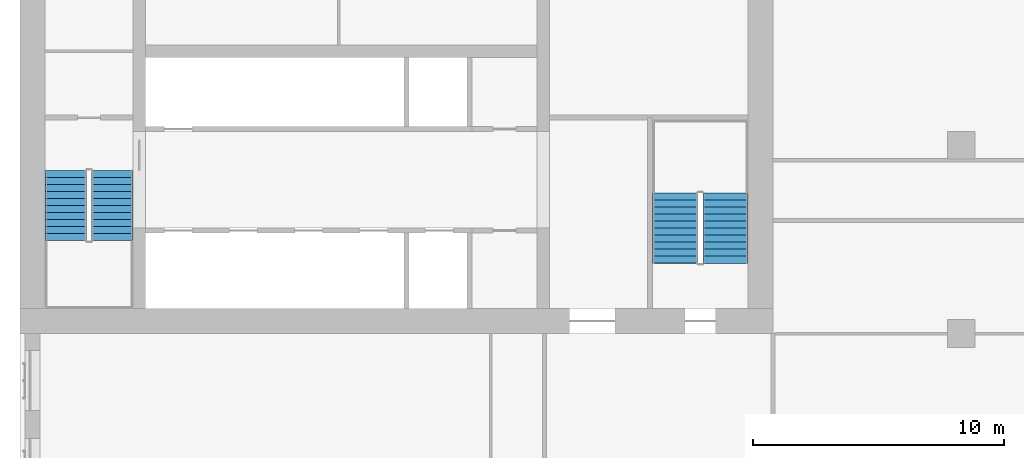
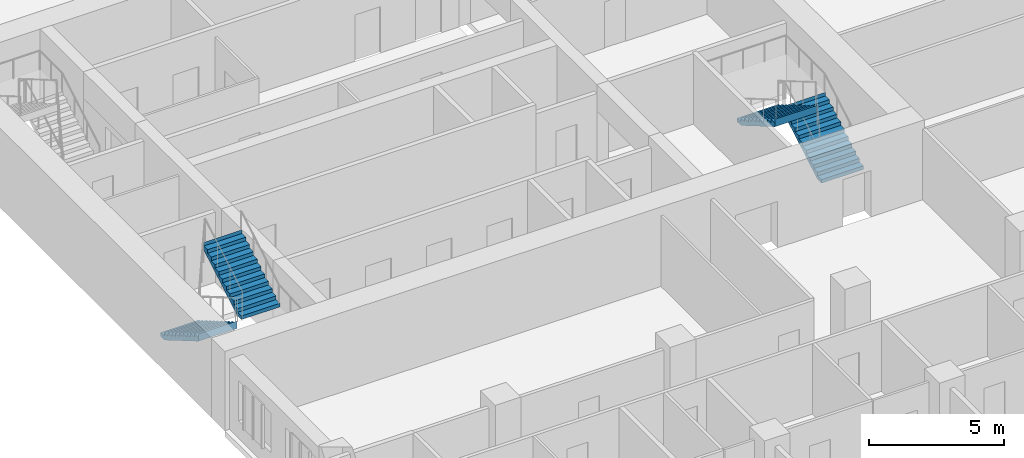
# One storey, part 12 of 14: 4 stair flights, 2 elements without a shape of their own.
"""IFC4 building model written with IfcOpenShell, lengths in metres."""

from ifc_helpers import new_model, si_unit, direction, frame, origin, place, context, subcontext, project, spatial, polyline, outline, extrude, material, type_object, element, aggregate, save


model = new_model("IFC4")

# Units and contexts
model_context = context("Model", 3, precision=1e-05, world=origin(), true_north=direction((0.0, 1.0)))
body_context = subcontext(model_context, "Body", "Model", "MODEL_VIEW")
ifc_project = project(units=[si_unit("LENGTHUNIT", "METRE"), si_unit("AREAUNIT", "SQUARE_METRE"), si_unit("VOLUMEUNIT", "CUBIC_METRE"), si_unit("PLANEANGLEUNIT", "RADIAN"), si_unit("MASSUNIT", "GRAM", prefix="KILO")], contexts=[model_context])

# Site, building, storey
site_placement = place(None, origin())
site = spatial("IfcSite", under=ifc_project, at=site_placement, CompositionType="ELEMENT")
building_placement = place(site_placement, origin())
building = spatial("IfcBuilding", under=site, at=building_placement, Name="Tamorin Gate", CompositionType="ELEMENT")
storey_placement = place(building_placement, frame((0.0, 0.0, 115.10009765625)))
storey = spatial("IfcBuildingStorey", under=building, at=storey_placement, Name="L28", CompositionType="ELEMENT", Elevation=115.10009765625)

# Stair, stair flights
ifc_material = material(Name="Concrete C40/50", Category="concrete")
stair_type = type_object("IfcStairType", Name="Exit stair", PredefinedType="HALF_TURN_STAIR", material=ifc_material)
stair_1_placement = place(storey_placement, origin())
stair_1 = element("IfcStair", 1, at=stair_1_placement, inside=storey, type_object=stair_type, Name="L28 stair ST1", PredefinedType="HALF_TURN_STAIR")
stair_flight_type = type_object("IfcStairFlightType", Name="Exit stair flight", PredefinedType="STRAIGHT", material=ifc_material)
stair_flight_1_placement = place(storey_placement, frame((31.824951171875, 66.5, 0.0), z_axis=(0.0, 0.0, 1.0), x_axis=(0.0, -1.0, 0.0)))
stair_flight_1 = element("IfcStairFlight", 2, at=stair_flight_1_placement, type_object=stair_flight_type, Name="ST1 flight 1", NumberOfRisers=11, NumberOfTreads=10, PredefinedType="STRAIGHT", RiserHeight=0.163636364, TreadLength=0.28, context=body_context, shape_type="SweptSolid", body=[
    extrude(outline(polyline([(-0.00048828125, 0.0), (-0.00048828125, 0.001708984375), (-0.00048828125, 0.003173828125), (-0.00048828125, 0.0048828125), (-0.00048828125, 0.006591796875), (-0.00048828125, 0.008056640625), (-0.00048828125, 0.009765625), (-0.00048828125, 0.01123046875), (-0.00048828125, 0.012939453125), (-0.00048828125, 0.0146484375), (-0.00048828125, 0.01611328125), (-0.00048828125, 0.017822265625), (-0.00048828125, 0.01953125), (-0.00048828125, 0.02099609375), (-0.00048828125, 0.022705078125), (-0.00048828125, 0.0244140625), (-0.00048828125, 0.02587890625), (-0.00048828125, 0.027587890625), (-0.00048828125, 0.029052734375), (-0.00048828125, 0.03076171875), (-0.00048828125, 0.032470703125), (-0.00048828125, 0.033935546875), (-0.00048828125, 0.03564453125), (-0.00048828125, 0.037353515625), (-0.00048828125, 0.038818359375), (-0.00048828125, 0.04052734375), (-0.00048828125, 0.042236328125), (-0.00048828125, 0.043701171875), (-0.00048828125, 0.04541015625), (-0.00048828125, 0.046875), (-0.00048828125, 0.048583984375), (-0.00048828125, 0.05029296875), (-0.00048828125, 0.0517578125), (-0.00048828125, 0.053466796875), (-0.00048828125, 0.05517578125), (-0.00048828125, 0.056640625), (-0.00048828125, 0.058349609375), (-0.00048828125, 0.06005859375), (-0.00048828125, 0.0615234375), (-0.00048828125, 0.063232421875), (-0.00048828125, 0.064697265625), (-0.00048828125, 0.06640625), (-0.00048828125, 0.068115234375), (-0.00048828125, 0.069580078125), (-0.00048828125, 0.0712890625), (-0.00048828125, 0.072998046875), (-0.00048828125, 0.074462890625), (-0.00048828125, 0.076171875), (-0.00048828125, 0.077880859375), (-0.00048828125, 0.079345703125), (-0.00048828125, 0.0810546875), (-0.00048828125, 0.08251953125), (-0.00048828125, 0.084228515625), (-0.00048828125, 0.0859375), (-0.00048828125, 0.08740234375), (-0.00048828125, 0.089111328125), (-0.00048828125, 0.0908203125), (-0.00048828125, 0.09228515625), (-0.00048828125, 0.093994140625), (-0.00048828125, 0.095703125), (-0.00048828125, 0.09716796875), (-0.00048828125, 0.098876953125), (-0.00048828125, 0.100341796875), (-0.00048828125, 0.10205078125), (-0.00048828125, 0.103759765625), (-0.00048828125, 0.105224609375), (-0.00048828125, 0.10693359375), (-0.00048828125, 0.108642578125), (-0.00048828125, 0.110107421875), (-0.00048828125, 0.11181640625), (-0.00048828125, 0.113525390625), (-0.00048828125, 0.114990234375), (-0.00048828125, 0.11669921875), (-0.00048828125, 0.1181640625), (-0.00048828125, 0.119873046875), (-0.00048828125, 0.12158203125), (-0.00048828125, 0.123046875), (-0.00048828125, 0.124755859375), (-0.00048828125, 0.12646484375), (-0.00048828125, 0.1279296875), (-0.00048828125, 0.129638671875), (-0.00048828125, 0.13134765625), (-0.00048828125, 0.1328125), (-0.00048828125, 0.134521484375), (-0.00048828125, 0.135986328125), (-0.00048828125, 0.1376953125), (-0.00048828125, 0.139404296875), (-0.00048828125, 0.140869140625), (-0.00048828125, 0.142578125), (-0.00048828125, 0.144287109375), (-0.00048828125, 0.145751953125), (-0.00048828125, 0.1474609375), (-0.00048828125, 0.149169921875), (-0.00048828125, 0.150634765625), (-0.00048828125, 0.15234375), (-0.00048828125, 0.15380859375), (-0.00048828125, 0.155517578125), (-0.00048828125, 0.1572265625), (-0.00048828125, 0.15869140625), (-0.00048828125, 0.160400390625), (-0.00048828125, 0.162109375), (-0.00048828125, 0.16357421875), (0.280029296875, 0.16357421875), (0.280029296875, 0.327392578125), (0.56005859375, 0.327392578125), (0.56005859375, 0.490966796875), (0.840087890625, 0.490966796875), (0.840087890625, 0.654541015625), (1.1201171875, 0.654541015625), (1.1201171875, 0.818115234375), (1.39990234375, 0.818115234375), (1.39990234375, 0.98193359375), (1.679931640625, 0.98193359375), (1.679931640625, 1.1455078125), (1.9599609375, 1.1455078125), (1.9599609375, 1.30908203125), (2.239990234375, 1.30908203125), (2.239990234375, 1.47265625), (2.52001953125, 1.47265625), (2.52001953125, 1.636474609375), (2.800048828125, 1.636474609375), (2.800048828125, 1.800048828125), (2.800537109375, 1.800048828125), (2.800537109375, 1.796630859375), (2.800537109375, 1.793212890625), (2.800537109375, 1.7900390625), (2.800537109375, 1.78662109375), (2.800537109375, 1.783203125), (2.800537109375, 1.780029296875), (2.800537109375, 1.776611328125), (2.800537109375, 1.773193359375), (2.800537109375, 1.77001953125), (2.800537109375, 1.7666015625), (2.800537109375, 1.76318359375), (2.800537109375, 1.760009765625), (2.800537109375, 1.756591796875), (2.800537109375, 1.753173828125), (2.800537109375, 1.75), (2.800537109375, 1.74658203125), (2.800537109375, 1.7431640625), (2.800537109375, 1.739990234375), (2.800537109375, 1.736572265625), (2.800537109375, 1.733154296875), (2.800537109375, 1.72998046875), (2.800537109375, 1.7265625), (2.800537109375, 1.72314453125), (2.800537109375, 1.719970703125), (2.800537109375, 1.716552734375), (2.800537109375, 1.713134765625), (2.800537109375, 1.7099609375), (2.800537109375, 1.70654296875), (2.800537109375, 1.703125), (2.800537109375, 1.69970703125), (2.800537109375, 1.696533203125), (2.800537109375, 1.693115234375), (2.800537109375, 1.689697265625), (2.800537109375, 1.6865234375), (2.800537109375, 1.68310546875), (2.800537109375, 1.6796875), (2.800537109375, 1.676513671875), (2.800537109375, 1.673095703125), (2.800537109375, 1.669677734375), (2.800537109375, 1.66650390625), (2.800537109375, 1.6630859375), (2.800537109375, 1.65966796875), (2.800537109375, 1.656494140625), (2.800537109375, 1.653076171875), (2.800537109375, 1.649658203125), (2.800537109375, 1.646484375), (2.800537109375, 1.64306640625), (2.800537109375, 1.6396484375), (2.800537109375, 1.636474609375), (2.800537109375, 1.633056640625), (2.800537109375, 1.629638671875), (2.800537109375, 1.62646484375), (2.800537109375, 1.623046875), (2.800537109375, 1.61962890625), (2.800537109375, 1.616455078125), (2.800537109375, 1.613037109375), (2.800537109375, 1.609619140625), (2.800537109375, 1.6064453125), (2.800537109375, 1.60302734375), (2.800537109375, 1.599609375), (2.800537109375, 1.59619140625), (2.800537109375, 1.593017578125), (2.800537109375, 1.589599609375), (2.800537109375, 1.586181640625), (2.800537109375, 1.5830078125), (2.800537109375, 1.57958984375), (2.800537109375, 1.576171875), (2.800537109375, 1.572998046875), (2.800537109375, 1.569580078125), (2.800537109375, 1.566162109375), (2.800537109375, 1.56298828125), (2.800537109375, 1.5595703125), (2.800537109375, 1.55615234375), (2.800537109375, 1.552978515625), (2.800537109375, 1.549560546875), (2.800537109375, 1.546142578125), (2.800537109375, 1.54296875), (2.800537109375, 1.53955078125), (2.800537109375, 1.5361328125), (2.800537109375, 1.532958984375), (2.800537109375, 1.529541015625), (2.800537109375, 1.526123046875), (2.800537109375, 1.52294921875), (2.800537109375, 1.51953125), (2.800537109375, 1.51611328125), (2.800537109375, 1.512939453125), (2.800537109375, 1.509521484375), (2.800537109375, 1.506103515625), (2.800537109375, 1.5029296875), (2.800537109375, 1.49951171875), (2.800537109375, 1.49609375), (2.800537109375, 1.49267578125), (2.800537109375, 1.489501953125), (2.800537109375, 1.486083984375), (2.800537109375, 1.482666015625), (2.800537109375, 1.4794921875), (2.800537109375, 1.47607421875), (2.800537109375, 1.47265625), (2.800537109375, 1.469482421875), (2.800537109375, 1.466064453125), (2.800537109375, 1.462646484375), (2.800048828125, 1.462646484375), (0.297119140625, 0.0), (-0.00048828125, 0.0)])), frame((0.0, 0.824951171875, 0.0), z_axis=(0.0, -1.0, 0.0), x_axis=(1.0, 0.0, 0.0)), (0.0, 0.0, 1.0), 1.64990234375),
])
stair_flight_2_placement = place(storey_placement, frame((33.675048828125, 63.699951171875, 1.7998046875), z_axis=(0.0, 0.0, 1.0), x_axis=(0.0, 1.0, 0.0)))
stair_flight_2 = element("IfcStairFlight", 3, at=stair_flight_2_placement, type_object=stair_flight_type, Name="ST1 flight 2", NumberOfRisers=11, NumberOfTreads=10, PredefinedType="STRAIGHT", RiserHeight=0.163636364, TreadLength=0.28, context=body_context, shape_type="SweptSolid", body=[
    extrude(outline(polyline([(-0.00048828125, 0.0), (-0.00048828125, 0.001708984375), (-0.00048828125, 0.003173828125), (-0.00048828125, 0.0048828125), (-0.00048828125, 0.006591796875), (-0.00048828125, 0.008056640625), (-0.00048828125, 0.009765625), (-0.00048828125, 0.01123046875), (-0.00048828125, 0.012939453125), (-0.00048828125, 0.0146484375), (-0.00048828125, 0.01611328125), (-0.00048828125, 0.017822265625), (-0.00048828125, 0.01953125), (-0.00048828125, 0.02099609375), (-0.00048828125, 0.022705078125), (-0.00048828125, 0.0244140625), (-0.00048828125, 0.02587890625), (-0.00048828125, 0.027587890625), (-0.00048828125, 0.029052734375), (-0.00048828125, 0.03076171875), (-0.00048828125, 0.032470703125), (-0.00048828125, 0.033935546875), (-0.00048828125, 0.03564453125), (-0.00048828125, 0.037353515625), (-0.00048828125, 0.038818359375), (-0.00048828125, 0.04052734375), (-0.00048828125, 0.042236328125), (-0.00048828125, 0.043701171875), (-0.00048828125, 0.04541015625), (-0.00048828125, 0.046875), (-0.00048828125, 0.048583984375), (-0.00048828125, 0.05029296875), (-0.00048828125, 0.0517578125), (-0.00048828125, 0.053466796875), (-0.00048828125, 0.05517578125), (-0.00048828125, 0.056640625), (-0.00048828125, 0.058349609375), (-0.00048828125, 0.06005859375), (-0.00048828125, 0.0615234375), (-0.00048828125, 0.063232421875), (-0.00048828125, 0.064697265625), (-0.00048828125, 0.06640625), (-0.00048828125, 0.068115234375), (-0.00048828125, 0.069580078125), (-0.00048828125, 0.0712890625), (-0.00048828125, 0.072998046875), (-0.00048828125, 0.074462890625), (-0.00048828125, 0.076171875), (-0.00048828125, 0.077880859375), (-0.00048828125, 0.079345703125), (-0.00048828125, 0.0810546875), (-0.00048828125, 0.08251953125), (-0.00048828125, 0.084228515625), (-0.00048828125, 0.0859375), (-0.00048828125, 0.08740234375), (-0.00048828125, 0.089111328125), (-0.00048828125, 0.0908203125), (-0.00048828125, 0.09228515625), (-0.00048828125, 0.093994140625), (-0.00048828125, 0.095703125), (-0.00048828125, 0.09716796875), (-0.00048828125, 0.098876953125), (-0.00048828125, 0.100341796875), (-0.00048828125, 0.10205078125), (-0.00048828125, 0.103759765625), (-0.00048828125, 0.105224609375), (-0.00048828125, 0.10693359375), (-0.00048828125, 0.108642578125), (-0.00048828125, 0.110107421875), (-0.00048828125, 0.11181640625), (-0.00048828125, 0.113525390625), (-0.00048828125, 0.114990234375), (-0.00048828125, 0.11669921875), (-0.00048828125, 0.1181640625), (-0.00048828125, 0.119873046875), (-0.00048828125, 0.12158203125), (-0.00048828125, 0.123046875), (-0.00048828125, 0.124755859375), (-0.00048828125, 0.12646484375), (-0.00048828125, 0.1279296875), (-0.00048828125, 0.129638671875), (-0.00048828125, 0.13134765625), (-0.00048828125, 0.1328125), (-0.00048828125, 0.134521484375), (-0.00048828125, 0.135986328125), (-0.00048828125, 0.1376953125), (-0.00048828125, 0.139404296875), (-0.00048828125, 0.140869140625), (-0.00048828125, 0.142578125), (-0.00048828125, 0.144287109375), (-0.00048828125, 0.145751953125), (-0.00048828125, 0.1474609375), (-0.00048828125, 0.149169921875), (-0.00048828125, 0.150634765625), (-0.00048828125, 0.15234375), (-0.00048828125, 0.15380859375), (-0.00048828125, 0.155517578125), (-0.00048828125, 0.1572265625), (-0.00048828125, 0.15869140625), (-0.00048828125, 0.160400390625), (-0.00048828125, 0.162109375), (-0.00048828125, 0.16357421875), (0.280029296875, 0.16357421875), (0.280029296875, 0.327392578125), (0.56005859375, 0.327392578125), (0.56005859375, 0.490966796875), (0.840087890625, 0.490966796875), (0.840087890625, 0.654541015625), (1.1201171875, 0.654541015625), (1.1201171875, 0.818115234375), (1.39990234375, 0.818115234375), (1.39990234375, 0.98193359375), (1.679931640625, 0.98193359375), (1.679931640625, 1.1455078125), (1.9599609375, 1.1455078125), (1.9599609375, 1.30908203125), (2.239990234375, 1.30908203125), (2.239990234375, 1.47265625), (2.52001953125, 1.47265625), (2.52001953125, 1.636474609375), (2.800048828125, 1.636474609375), (2.800048828125, 1.800048828125), (2.800537109375, 1.800048828125), (2.800537109375, 1.796630859375), (2.800537109375, 1.793212890625), (2.800537109375, 1.7900390625), (2.800537109375, 1.78662109375), (2.800537109375, 1.783203125), (2.800537109375, 1.780029296875), (2.800537109375, 1.776611328125), (2.800537109375, 1.773193359375), (2.800537109375, 1.77001953125), (2.800537109375, 1.7666015625), (2.800537109375, 1.76318359375), (2.800537109375, 1.760009765625), (2.800537109375, 1.756591796875), (2.800537109375, 1.753173828125), (2.800537109375, 1.75), (2.800537109375, 1.74658203125), (2.800537109375, 1.7431640625), (2.800537109375, 1.739990234375), (2.800537109375, 1.736572265625), (2.800537109375, 1.733154296875), (2.800537109375, 1.72998046875), (2.800537109375, 1.7265625), (2.800537109375, 1.72314453125), (2.800537109375, 1.719970703125), (2.800537109375, 1.716552734375), (2.800537109375, 1.713134765625), (2.800537109375, 1.7099609375), (2.800537109375, 1.70654296875), (2.800537109375, 1.703125), (2.800537109375, 1.69970703125), (2.800537109375, 1.696533203125), (2.800537109375, 1.693115234375), (2.800537109375, 1.689697265625), (2.800537109375, 1.6865234375), (2.800537109375, 1.68310546875), (2.800537109375, 1.6796875), (2.800537109375, 1.676513671875), (2.800537109375, 1.673095703125), (2.800537109375, 1.669677734375), (2.800537109375, 1.66650390625), (2.800537109375, 1.6630859375), (2.800537109375, 1.65966796875), (2.800537109375, 1.656494140625), (2.800537109375, 1.653076171875), (2.800537109375, 1.649658203125), (2.800537109375, 1.646484375), (2.800537109375, 1.64306640625), (2.800537109375, 1.6396484375), (2.800537109375, 1.636474609375), (2.800537109375, 1.633056640625), (2.800537109375, 1.629638671875), (2.800537109375, 1.62646484375), (2.800537109375, 1.623046875), (2.800537109375, 1.61962890625), (2.800537109375, 1.616455078125), (2.800537109375, 1.613037109375), (2.800537109375, 1.609619140625), (2.800537109375, 1.6064453125), (2.800537109375, 1.60302734375), (2.800537109375, 1.599609375), (2.800537109375, 1.59619140625), (2.800537109375, 1.593017578125), (2.800537109375, 1.589599609375), (2.800537109375, 1.586181640625), (2.800537109375, 1.5830078125), (2.800537109375, 1.57958984375), (2.800537109375, 1.576171875), (2.800537109375, 1.572998046875), (2.800537109375, 1.569580078125), (2.800537109375, 1.566162109375), (2.800537109375, 1.56298828125), (2.800537109375, 1.5595703125), (2.800537109375, 1.55615234375), (2.800537109375, 1.552978515625), (2.800537109375, 1.549560546875), (2.800537109375, 1.546142578125), (2.800537109375, 1.54296875), (2.800537109375, 1.53955078125), (2.800537109375, 1.5361328125), (2.800537109375, 1.532958984375), (2.800537109375, 1.529541015625), (2.800537109375, 1.526123046875), (2.800537109375, 1.52294921875), (2.800537109375, 1.51953125), (2.800537109375, 1.51611328125), (2.800537109375, 1.512939453125), (2.800537109375, 1.509521484375), (2.800537109375, 1.506103515625), (2.800537109375, 1.5029296875), (2.800537109375, 1.49951171875), (2.800537109375, 1.49609375), (2.800537109375, 1.49267578125), (2.800537109375, 1.489501953125), (2.800537109375, 1.486083984375), (2.800537109375, 1.482666015625), (2.800537109375, 1.4794921875), (2.800537109375, 1.47607421875), (2.800537109375, 1.47265625), (2.800537109375, 1.469482421875), (2.800537109375, 1.466064453125), (2.800537109375, 1.462646484375), (2.800048828125, 1.462646484375), (0.297119140625, 0.0), (-0.00048828125, 0.0)])), frame((0.0, 0.824951171875, 0.0), z_axis=(0.0, -1.0, 0.0), x_axis=(1.0, 0.0, 0.0)), (0.0, 0.0, 1.0), 1.64990234375),
])
aggregate(stair_1, [stair_flight_1, stair_flight_2])

stair_2_placement = place(storey_placement, origin())
stair_2 = element("IfcStair", 4, at=stair_2_placement, inside=storey, type_object=stair_type, Name="L28 stair ST3", PredefinedType="HALF_TURN_STAIR")
stair_flight_3_placement = place(storey_placement, frame((58.10009765625, 62.800048828125, 0.0), z_axis=(0.0, 0.0, 1.0), x_axis=(0.0, 1.0, 0.0)))
stair_flight_3 = element("IfcStairFlight", 5, at=stair_flight_3_placement, type_object=stair_flight_type, Name="ST3 flight 1", NumberOfRisers=11, NumberOfTreads=10, PredefinedType="STRAIGHT", RiserHeight=0.163636364, TreadLength=0.28, context=body_context, shape_type="SweptSolid", body=[
    extrude(outline(polyline([(-0.00048828125, 0.0), (-0.00048828125, 0.001708984375), (-0.00048828125, 0.003173828125), (-0.00048828125, 0.0048828125), (-0.00048828125, 0.006591796875), (-0.00048828125, 0.008056640625), (-0.00048828125, 0.009765625), (-0.00048828125, 0.01123046875), (-0.00048828125, 0.012939453125), (-0.00048828125, 0.0146484375), (-0.00048828125, 0.01611328125), (-0.00048828125, 0.017822265625), (-0.00048828125, 0.01953125), (-0.00048828125, 0.02099609375), (-0.00048828125, 0.022705078125), (-0.00048828125, 0.0244140625), (-0.00048828125, 0.02587890625), (-0.00048828125, 0.027587890625), (-0.00048828125, 0.029052734375), (-0.00048828125, 0.03076171875), (-0.00048828125, 0.032470703125), (-0.00048828125, 0.033935546875), (-0.00048828125, 0.03564453125), (-0.00048828125, 0.037353515625), (-0.00048828125, 0.038818359375), (-0.00048828125, 0.04052734375), (-0.00048828125, 0.042236328125), (-0.00048828125, 0.043701171875), (-0.00048828125, 0.04541015625), (-0.00048828125, 0.046875), (-0.00048828125, 0.048583984375), (-0.00048828125, 0.05029296875), (-0.00048828125, 0.0517578125), (-0.00048828125, 0.053466796875), (-0.00048828125, 0.05517578125), (-0.00048828125, 0.056640625), (-0.00048828125, 0.058349609375), (-0.00048828125, 0.06005859375), (-0.00048828125, 0.0615234375), (-0.00048828125, 0.063232421875), (-0.00048828125, 0.064697265625), (-0.00048828125, 0.06640625), (-0.00048828125, 0.068115234375), (-0.00048828125, 0.069580078125), (-0.00048828125, 0.0712890625), (-0.00048828125, 0.072998046875), (-0.00048828125, 0.074462890625), (-0.00048828125, 0.076171875), (-0.00048828125, 0.077880859375), (-0.00048828125, 0.079345703125), (-0.00048828125, 0.0810546875), (-0.00048828125, 0.08251953125), (-0.00048828125, 0.084228515625), (-0.00048828125, 0.0859375), (-0.00048828125, 0.08740234375), (-0.00048828125, 0.089111328125), (-0.00048828125, 0.0908203125), (-0.00048828125, 0.09228515625), (-0.00048828125, 0.093994140625), (-0.00048828125, 0.095703125), (-0.00048828125, 0.09716796875), (-0.00048828125, 0.098876953125), (-0.00048828125, 0.100341796875), (-0.00048828125, 0.10205078125), (-0.00048828125, 0.103759765625), (-0.00048828125, 0.105224609375), (-0.00048828125, 0.10693359375), (-0.00048828125, 0.108642578125), (-0.00048828125, 0.110107421875), (-0.00048828125, 0.11181640625), (-0.00048828125, 0.113525390625), (-0.00048828125, 0.114990234375), (-0.00048828125, 0.11669921875), (-0.00048828125, 0.1181640625), (-0.00048828125, 0.119873046875), (-0.00048828125, 0.12158203125), (-0.00048828125, 0.123046875), (-0.00048828125, 0.124755859375), (-0.00048828125, 0.12646484375), (-0.00048828125, 0.1279296875), (-0.00048828125, 0.129638671875), (-0.00048828125, 0.13134765625), (-0.00048828125, 0.1328125), (-0.00048828125, 0.134521484375), (-0.00048828125, 0.135986328125), (-0.00048828125, 0.1376953125), (-0.00048828125, 0.139404296875), (-0.00048828125, 0.140869140625), (-0.00048828125, 0.142578125), (-0.00048828125, 0.144287109375), (-0.00048828125, 0.145751953125), (-0.00048828125, 0.1474609375), (-0.00048828125, 0.149169921875), (-0.00048828125, 0.150634765625), (-0.00048828125, 0.15234375), (-0.00048828125, 0.15380859375), (-0.00048828125, 0.155517578125), (-0.00048828125, 0.1572265625), (-0.00048828125, 0.15869140625), (-0.00048828125, 0.160400390625), (-0.00048828125, 0.162109375), (-0.00048828125, 0.16357421875), (0.280029296875, 0.16357421875), (0.280029296875, 0.327392578125), (0.56005859375, 0.327392578125), (0.56005859375, 0.490966796875), (0.840087890625, 0.490966796875), (0.840087890625, 0.654541015625), (1.1201171875, 0.654541015625), (1.1201171875, 0.818115234375), (1.39990234375, 0.818115234375), (1.39990234375, 0.98193359375), (1.679931640625, 0.98193359375), (1.679931640625, 1.1455078125), (1.9599609375, 1.1455078125), (1.9599609375, 1.30908203125), (2.239990234375, 1.30908203125), (2.239990234375, 1.47265625), (2.52001953125, 1.47265625), (2.52001953125, 1.636474609375), (2.800048828125, 1.636474609375), (2.800048828125, 1.800048828125), (2.800537109375, 1.800048828125), (2.800537109375, 1.796630859375), (2.800537109375, 1.793212890625), (2.800537109375, 1.7900390625), (2.800537109375, 1.78662109375), (2.800537109375, 1.783203125), (2.800537109375, 1.780029296875), (2.800537109375, 1.776611328125), (2.800537109375, 1.773193359375), (2.800537109375, 1.77001953125), (2.800537109375, 1.7666015625), (2.800537109375, 1.76318359375), (2.800537109375, 1.760009765625), (2.800537109375, 1.756591796875), (2.800537109375, 1.753173828125), (2.800537109375, 1.75), (2.800537109375, 1.74658203125), (2.800537109375, 1.7431640625), (2.800537109375, 1.739990234375), (2.800537109375, 1.736572265625), (2.800537109375, 1.733154296875), (2.800537109375, 1.72998046875), (2.800537109375, 1.7265625), (2.800537109375, 1.72314453125), (2.800537109375, 1.719970703125), (2.800537109375, 1.716552734375), (2.800537109375, 1.713134765625), (2.800537109375, 1.7099609375), (2.800537109375, 1.70654296875), (2.800537109375, 1.703125), (2.800537109375, 1.69970703125), (2.800537109375, 1.696533203125), (2.800537109375, 1.693115234375), (2.800537109375, 1.689697265625), (2.800537109375, 1.6865234375), (2.800537109375, 1.68310546875), (2.800537109375, 1.6796875), (2.800537109375, 1.676513671875), (2.800537109375, 1.673095703125), (2.800537109375, 1.669677734375), (2.800537109375, 1.66650390625), (2.800537109375, 1.6630859375), (2.800537109375, 1.65966796875), (2.800537109375, 1.656494140625), (2.800537109375, 1.653076171875), (2.800537109375, 1.649658203125), (2.800537109375, 1.646484375), (2.800537109375, 1.64306640625), (2.800537109375, 1.6396484375), (2.800537109375, 1.636474609375), (2.800537109375, 1.633056640625), (2.800537109375, 1.629638671875), (2.800537109375, 1.62646484375), (2.800537109375, 1.623046875), (2.800537109375, 1.61962890625), (2.800537109375, 1.616455078125), (2.800537109375, 1.613037109375), (2.800537109375, 1.609619140625), (2.800537109375, 1.6064453125), (2.800537109375, 1.60302734375), (2.800537109375, 1.599609375), (2.800537109375, 1.59619140625), (2.800537109375, 1.593017578125), (2.800537109375, 1.589599609375), (2.800537109375, 1.586181640625), (2.800537109375, 1.5830078125), (2.800537109375, 1.57958984375), (2.800537109375, 1.576171875), (2.800537109375, 1.572998046875), (2.800537109375, 1.569580078125), (2.800537109375, 1.566162109375), (2.800537109375, 1.56298828125), (2.800537109375, 1.5595703125), (2.800537109375, 1.55615234375), (2.800537109375, 1.552978515625), (2.800537109375, 1.549560546875), (2.800537109375, 1.546142578125), (2.800537109375, 1.54296875), (2.800537109375, 1.53955078125), (2.800537109375, 1.5361328125), (2.800537109375, 1.532958984375), (2.800537109375, 1.529541015625), (2.800537109375, 1.526123046875), (2.800537109375, 1.52294921875), (2.800537109375, 1.51953125), (2.800537109375, 1.51611328125), (2.800537109375, 1.512939453125), (2.800537109375, 1.509521484375), (2.800537109375, 1.506103515625), (2.800537109375, 1.5029296875), (2.800537109375, 1.49951171875), (2.800537109375, 1.49609375), (2.800537109375, 1.49267578125), (2.800537109375, 1.489501953125), (2.800537109375, 1.486083984375), (2.800537109375, 1.482666015625), (2.800537109375, 1.4794921875), (2.800537109375, 1.47607421875), (2.800537109375, 1.47265625), (2.800537109375, 1.469482421875), (2.800537109375, 1.466064453125), (2.800537109375, 1.462646484375), (2.800048828125, 1.462646484375), (0.297119140625, 0.0), (-0.00048828125, 0.0)])), frame((0.0, 0.89990234375, 0.0), z_axis=(0.0, -1.0, 0.0), x_axis=(1.0, 0.0, 0.0)), (0.0, 0.0, 1.0), 1.800048828125),
])
stair_flight_4_placement = place(storey_placement, frame((56.10009765625, 65.60009765625, 1.7998046875), z_axis=(0.0, 0.0, 1.0), x_axis=(0.0, -1.0, 0.0)))
stair_flight_4 = element("IfcStairFlight", 6, at=stair_flight_4_placement, type_object=stair_flight_type, Name="ST3 flight 2", NumberOfRisers=11, NumberOfTreads=10, PredefinedType="STRAIGHT", RiserHeight=0.163636364, TreadLength=0.28, context=body_context, shape_type="SweptSolid", body=[
    extrude(outline(polyline([(-0.00048828125, 0.0), (-0.00048828125, 0.001708984375), (-0.00048828125, 0.003173828125), (-0.00048828125, 0.0048828125), (-0.00048828125, 0.006591796875), (-0.00048828125, 0.008056640625), (-0.00048828125, 0.009765625), (-0.00048828125, 0.01123046875), (-0.00048828125, 0.012939453125), (-0.00048828125, 0.0146484375), (-0.00048828125, 0.01611328125), (-0.00048828125, 0.017822265625), (-0.00048828125, 0.01953125), (-0.00048828125, 0.02099609375), (-0.00048828125, 0.022705078125), (-0.00048828125, 0.0244140625), (-0.00048828125, 0.02587890625), (-0.00048828125, 0.027587890625), (-0.00048828125, 0.029052734375), (-0.00048828125, 0.03076171875), (-0.00048828125, 0.032470703125), (-0.00048828125, 0.033935546875), (-0.00048828125, 0.03564453125), (-0.00048828125, 0.037353515625), (-0.00048828125, 0.038818359375), (-0.00048828125, 0.04052734375), (-0.00048828125, 0.042236328125), (-0.00048828125, 0.043701171875), (-0.00048828125, 0.04541015625), (-0.00048828125, 0.046875), (-0.00048828125, 0.048583984375), (-0.00048828125, 0.05029296875), (-0.00048828125, 0.0517578125), (-0.00048828125, 0.053466796875), (-0.00048828125, 0.05517578125), (-0.00048828125, 0.056640625), (-0.00048828125, 0.058349609375), (-0.00048828125, 0.06005859375), (-0.00048828125, 0.0615234375), (-0.00048828125, 0.063232421875), (-0.00048828125, 0.064697265625), (-0.00048828125, 0.06640625), (-0.00048828125, 0.068115234375), (-0.00048828125, 0.069580078125), (-0.00048828125, 0.0712890625), (-0.00048828125, 0.072998046875), (-0.00048828125, 0.074462890625), (-0.00048828125, 0.076171875), (-0.00048828125, 0.077880859375), (-0.00048828125, 0.079345703125), (-0.00048828125, 0.0810546875), (-0.00048828125, 0.08251953125), (-0.00048828125, 0.084228515625), (-0.00048828125, 0.0859375), (-0.00048828125, 0.08740234375), (-0.00048828125, 0.089111328125), (-0.00048828125, 0.0908203125), (-0.00048828125, 0.09228515625), (-0.00048828125, 0.093994140625), (-0.00048828125, 0.095703125), (-0.00048828125, 0.09716796875), (-0.00048828125, 0.098876953125), (-0.00048828125, 0.100341796875), (-0.00048828125, 0.10205078125), (-0.00048828125, 0.103759765625), (-0.00048828125, 0.105224609375), (-0.00048828125, 0.10693359375), (-0.00048828125, 0.108642578125), (-0.00048828125, 0.110107421875), (-0.00048828125, 0.11181640625), (-0.00048828125, 0.113525390625), (-0.00048828125, 0.114990234375), (-0.00048828125, 0.11669921875), (-0.00048828125, 0.1181640625), (-0.00048828125, 0.119873046875), (-0.00048828125, 0.12158203125), (-0.00048828125, 0.123046875), (-0.00048828125, 0.124755859375), (-0.00048828125, 0.12646484375), (-0.00048828125, 0.1279296875), (-0.00048828125, 0.129638671875), (-0.00048828125, 0.13134765625), (-0.00048828125, 0.1328125), (-0.00048828125, 0.134521484375), (-0.00048828125, 0.135986328125), (-0.00048828125, 0.1376953125), (-0.00048828125, 0.139404296875), (-0.00048828125, 0.140869140625), (-0.00048828125, 0.142578125), (-0.00048828125, 0.144287109375), (-0.00048828125, 0.145751953125), (-0.00048828125, 0.1474609375), (-0.00048828125, 0.149169921875), (-0.00048828125, 0.150634765625), (-0.00048828125, 0.15234375), (-0.00048828125, 0.15380859375), (-0.00048828125, 0.155517578125), (-0.00048828125, 0.1572265625), (-0.00048828125, 0.15869140625), (-0.00048828125, 0.160400390625), (-0.00048828125, 0.162109375), (-0.00048828125, 0.16357421875), (0.280029296875, 0.16357421875), (0.280029296875, 0.327392578125), (0.56005859375, 0.327392578125), (0.56005859375, 0.490966796875), (0.840087890625, 0.490966796875), (0.840087890625, 0.654541015625), (1.1201171875, 0.654541015625), (1.1201171875, 0.818115234375), (1.39990234375, 0.818115234375), (1.39990234375, 0.98193359375), (1.679931640625, 0.98193359375), (1.679931640625, 1.1455078125), (1.9599609375, 1.1455078125), (1.9599609375, 1.30908203125), (2.239990234375, 1.30908203125), (2.239990234375, 1.47265625), (2.52001953125, 1.47265625), (2.52001953125, 1.636474609375), (2.800048828125, 1.636474609375), (2.800048828125, 1.800048828125), (2.800537109375, 1.800048828125), (2.800537109375, 1.796630859375), (2.800537109375, 1.793212890625), (2.800537109375, 1.7900390625), (2.800537109375, 1.78662109375), (2.800537109375, 1.783203125), (2.800537109375, 1.780029296875), (2.800537109375, 1.776611328125), (2.800537109375, 1.773193359375), (2.800537109375, 1.77001953125), (2.800537109375, 1.7666015625), (2.800537109375, 1.76318359375), (2.800537109375, 1.760009765625), (2.800537109375, 1.756591796875), (2.800537109375, 1.753173828125), (2.800537109375, 1.75), (2.800537109375, 1.74658203125), (2.800537109375, 1.7431640625), (2.800537109375, 1.739990234375), (2.800537109375, 1.736572265625), (2.800537109375, 1.733154296875), (2.800537109375, 1.72998046875), (2.800537109375, 1.7265625), (2.800537109375, 1.72314453125), (2.800537109375, 1.719970703125), (2.800537109375, 1.716552734375), (2.800537109375, 1.713134765625), (2.800537109375, 1.7099609375), (2.800537109375, 1.70654296875), (2.800537109375, 1.703125), (2.800537109375, 1.69970703125), (2.800537109375, 1.696533203125), (2.800537109375, 1.693115234375), (2.800537109375, 1.689697265625), (2.800537109375, 1.6865234375), (2.800537109375, 1.68310546875), (2.800537109375, 1.6796875), (2.800537109375, 1.676513671875), (2.800537109375, 1.673095703125), (2.800537109375, 1.669677734375), (2.800537109375, 1.66650390625), (2.800537109375, 1.6630859375), (2.800537109375, 1.65966796875), (2.800537109375, 1.656494140625), (2.800537109375, 1.653076171875), (2.800537109375, 1.649658203125), (2.800537109375, 1.646484375), (2.800537109375, 1.64306640625), (2.800537109375, 1.6396484375), (2.800537109375, 1.636474609375), (2.800537109375, 1.633056640625), (2.800537109375, 1.629638671875), (2.800537109375, 1.62646484375), (2.800537109375, 1.623046875), (2.800537109375, 1.61962890625), (2.800537109375, 1.616455078125), (2.800537109375, 1.613037109375), (2.800537109375, 1.609619140625), (2.800537109375, 1.6064453125), (2.800537109375, 1.60302734375), (2.800537109375, 1.599609375), (2.800537109375, 1.59619140625), (2.800537109375, 1.593017578125), (2.800537109375, 1.589599609375), (2.800537109375, 1.586181640625), (2.800537109375, 1.5830078125), (2.800537109375, 1.57958984375), (2.800537109375, 1.576171875), (2.800537109375, 1.572998046875), (2.800537109375, 1.569580078125), (2.800537109375, 1.566162109375), (2.800537109375, 1.56298828125), (2.800537109375, 1.5595703125), (2.800537109375, 1.55615234375), (2.800537109375, 1.552978515625), (2.800537109375, 1.549560546875), (2.800537109375, 1.546142578125), (2.800537109375, 1.54296875), (2.800537109375, 1.53955078125), (2.800537109375, 1.5361328125), (2.800537109375, 1.532958984375), (2.800537109375, 1.529541015625), (2.800537109375, 1.526123046875), (2.800537109375, 1.52294921875), (2.800537109375, 1.51953125), (2.800537109375, 1.51611328125), (2.800537109375, 1.512939453125), (2.800537109375, 1.509521484375), (2.800537109375, 1.506103515625), (2.800537109375, 1.5029296875), (2.800537109375, 1.49951171875), (2.800537109375, 1.49609375), (2.800537109375, 1.49267578125), (2.800537109375, 1.489501953125), (2.800537109375, 1.486083984375), (2.800537109375, 1.482666015625), (2.800537109375, 1.4794921875), (2.800537109375, 1.47607421875), (2.800537109375, 1.47265625), (2.800537109375, 1.469482421875), (2.800537109375, 1.466064453125), (2.800537109375, 1.462646484375), (2.800048828125, 1.462646484375), (0.297119140625, 0.0), (-0.00048828125, 0.0)])), frame((0.0, 0.89990234375, 0.0), z_axis=(0.0, -1.0, 0.0), x_axis=(1.0, 0.0, 0.0)), (0.0, 0.0, 1.0), 1.800048828125),
])
aggregate(stair_2, [stair_flight_3, stair_flight_4])

save(model, "model.ifc")
